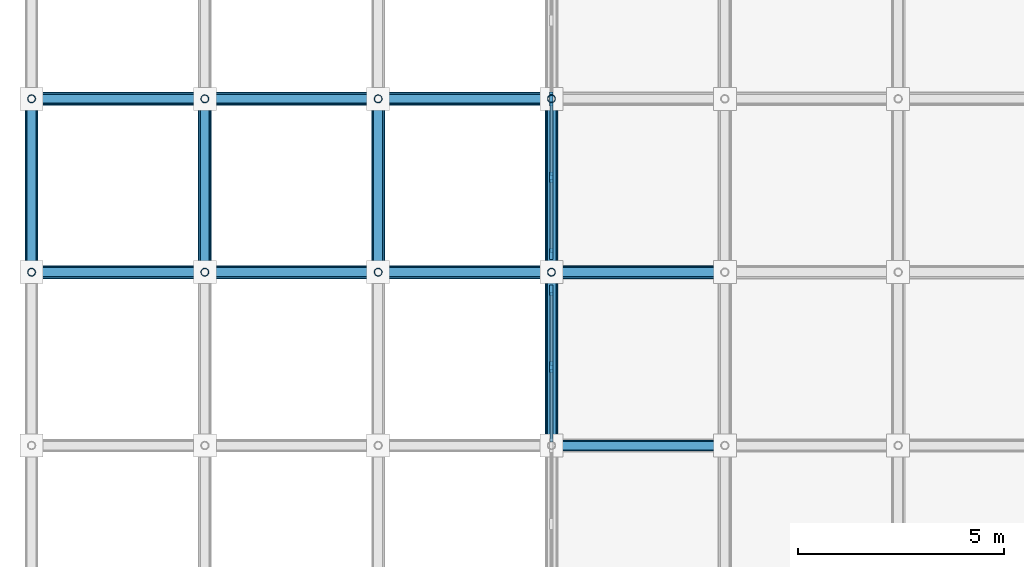
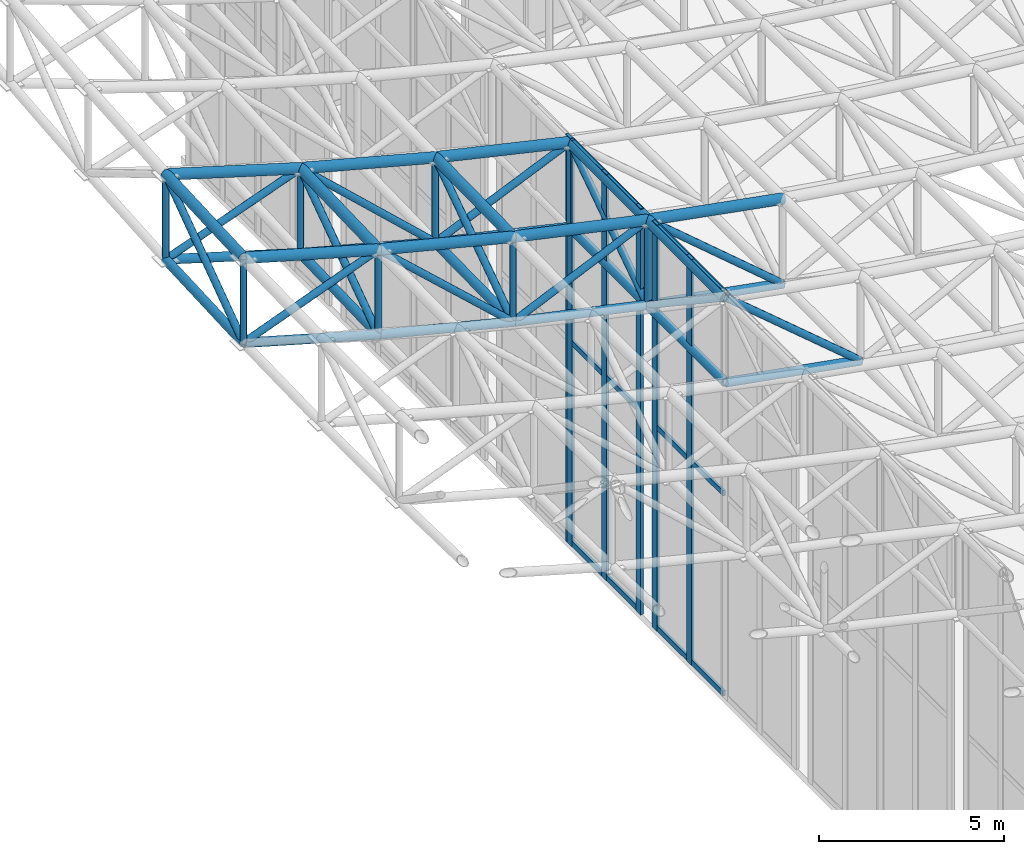
# One storey, part 23 of 93: 64 members, 3 elements without a shape of their own.
"""IFC4 building model written with IfcOpenShell, lengths in metres."""

from ifc_helpers import new_model, si_unit, direction, frame, origin, origin_2d, place, context, subcontext, project, spatial, rectangle, hollow_circle, extrude, material, material_profile, profile_set, type_object, element, aggregate, save


model = new_model("IFC4")

# Units and contexts
model_context = context("Model", 3, precision=1e-05, world=origin(), true_north=direction((0.0, 1.0)))
body_context = subcontext(model_context, "Body", "Model", "MODEL_VIEW")
ifc_project = project(units=[si_unit("LENGTHUNIT", "METRE"), si_unit("AREAUNIT", "SQUARE_METRE"), si_unit("VOLUMEUNIT", "CUBIC_METRE"), si_unit("PLANEANGLEUNIT", "RADIAN"), si_unit("MASSUNIT", "GRAM", prefix="KILO")], contexts=[model_context])

# Site, building, storey
site_placement = place(None, origin())
site = spatial("IfcSite", under=ifc_project, at=site_placement, CompositionType="ELEMENT")
building_placement = place(site_placement, origin())
building = spatial("IfcBuilding", under=site, at=building_placement, Name="Cumbredor Promenade Congress Hotel", CompositionType="ELEMENT")
storey_placement = place(building_placement, frame((0.0, 0.0, 21.840087890625)))
storey = spatial("IfcBuildingStorey", under=building, at=storey_placement, Name="L06", CompositionType="ELEMENT", Elevation=21.840087890625)

# Curtain wall, members
ifc_material_1 = material(Name="Thermally broken anodized aluminium and low-E glass", Category="aluminium")
curtain_wall_type = type_object("IfcCurtainWallType", Name="Stepped Pavilion Clerestory Curtain Wall CW-06", PredefinedType="NOTDEFINED", material=ifc_material_1)
curtain_wall_1_placement = place(storey_placement, origin())
curtain_wall_1 = element("IfcCurtainWall", 1, at=curtain_wall_1_placement, inside=storey, type_object=curtain_wall_type, Name="Plenary Congress Hall W Glazed Clerestory 8", PredefinedType="NOTDEFINED")
ifc_material_2 = material(Name="Thermally broken anodized aluminium", Category="aluminium")
ifc_material_profile_1 = material_profile(ifc_material_2, rectangle(XDim=0.0849609375, YDim=0.260009765625, at=origin_2d()), Name="ALU MULLION CLERESTORY 85x260")
ifc_profile_set_1 = profile_set([ifc_material_profile_1], Name="Thermally broken anodized aluminium")
member_type_1 = type_object("IfcMemberType", Name="Curtain Wall Mullion ML-04", PredefinedType="MULLION", material=ifc_profile_set_1)
member_1_placement = place(storey_placement, frame((8.39990234375, 39.699951171875, -0.01806640625), z_axis=(0.0, 0.0, 1.0), x_axis=(1.0, 0.0, 0.0)))
member_1 = element("IfcMember", 2, at=member_1_placement, type_object=member_type_1, Name="Plenary Congress Hall W Glazed Clerestory 8 Mullion 2", PredefinedType="MULLION", context=body_context, shape_type="SweptSolid", body=[
    extrude(rectangle(XDim=0.0849609375, YDim=0.260009765625, at=origin_2d()), origin(), (0.0, 0.0, 1.0), 13.3857421875),
])
member_2_placement = place(storey_placement, frame((8.39990234375, 41.56005859375, -0.01806640625), z_axis=(0.0, 0.0, 1.0), x_axis=(1.0, 0.0, 0.0)))
member_2 = element("IfcMember", 3, at=member_2_placement, type_object=member_type_1, Name="Plenary Congress Hall W Glazed Clerestory 8 Mullion 3", PredefinedType="MULLION", context=body_context, shape_type="SweptSolid", body=[
    extrude(rectangle(XDim=0.0849609375, YDim=0.260009765625, at=origin_2d()), origin(), (0.0, 0.0, 1.0), 13.3857421875),
])

curtain_wall_2_placement = place(storey_placement, origin())
curtain_wall_2 = element("IfcCurtainWall", 4, at=curtain_wall_2_placement, inside=storey, type_object=curtain_wall_type, Name="Plenary Congress Hall W Glazed Clerestory 9", PredefinedType="NOTDEFINED")
member_3_placement = place(storey_placement, frame((8.39990234375, 42.43994140625, -0.01806640625), z_axis=(0.0, 0.0, 1.0), x_axis=(1.0, 0.0, 0.0)))
member_3 = element("IfcMember", 5, at=member_3_placement, type_object=member_type_1, Name="Plenary Congress Hall W Glazed Clerestory 9 Mullion 1", PredefinedType="MULLION", context=body_context, shape_type="SweptSolid", body=[
    extrude(rectangle(XDim=0.0849609375, YDim=0.260009765625, at=origin_2d()), origin(), (0.0, 0.0, 1.0), 13.3935546875),
])
member_4_placement = place(storey_placement, frame((8.39990234375, 44.300048828125, -0.01806640625), z_axis=(0.0, 0.0, 1.0), x_axis=(1.0, 0.0, 0.0)))
member_4 = element("IfcMember", 6, at=member_4_placement, type_object=member_type_1, Name="Plenary Congress Hall W Glazed Clerestory 9 Mullion 2", PredefinedType="MULLION", context=body_context, shape_type="SweptSolid", body=[
    extrude(rectangle(XDim=0.0849609375, YDim=0.260009765625, at=origin_2d()), origin(), (0.0, 0.0, 1.0), 13.3935546875),
])
member_5_placement = place(storey_placement, frame((8.39990234375, 46.159912109375, -0.01806640625), z_axis=(0.0, 0.0, 1.0), x_axis=(1.0, 0.0, 0.0)))
member_5 = element("IfcMember", 7, at=member_5_placement, type_object=member_type_1, Name="Plenary Congress Hall W Glazed Clerestory 9 Mullion 3", PredefinedType="MULLION", context=body_context, shape_type="SweptSolid", body=[
    extrude(rectangle(XDim=0.0849609375, YDim=0.260009765625, at=origin_2d()), origin(), (0.0, 0.0, 1.0), 13.3935546875),
])

# Curtain wall, member
curtain_wall_3_placement = place(storey_placement, origin())
curtain_wall_3 = element("IfcCurtainWall", 8, at=curtain_wall_3_placement, inside=storey, type_object=curtain_wall_type, Name="Plenary Congress Hall W Glazed Clerestory 10", PredefinedType="NOTDEFINED")
member_6_placement = place(storey_placement, frame((8.39990234375, 46.239990234375, -0.01806640625), z_axis=(0.0, 0.0, 1.0), x_axis=(1.0, 0.0, 0.0)))
member_6 = element("IfcMember", 9, at=member_6_placement, type_object=member_type_1, Name="Plenary Congress Hall W Glazed Clerestory 10 Mullion 1", PredefinedType="MULLION", context=body_context, shape_type="SweptSolid", body=[
    extrude(rectangle(XDim=0.0849609375, YDim=0.260009765625, at=origin_2d()), origin(), (0.0, 0.0, 1.0), 13.40966796875),
])
aggregate(curtain_wall_3, [member_6])

# Member
ifc_material_profile_2 = material_profile(ifc_material_2, rectangle(XDim=0.080078125, YDim=0.179931640625, at=origin_2d()), Name="ALU TRANSOM 80x180")
ifc_profile_set_2 = profile_set([ifc_material_profile_2], Name="Thermally broken anodized aluminium")
member_type_2 = type_object("IfcMemberType", Name="Curtain Wall Transom TR-03", PredefinedType="USERDEFINED", material=ifc_profile_set_2)
member_7_placement = place(storey_placement, frame((8.39990234375, 37.882568359375, 0.079833984375), z_axis=(0.0, 1.0, 0.0), x_axis=(-1.0, 0.0, 0.0)))
member_7 = element("IfcMember", 10, at=member_7_placement, type_object=member_type_2, Name="Plenary Congress Hall W Glazed Clerestory 8 Transom 1.1", ObjectType="TRANSOM", PredefinedType="USERDEFINED", context=body_context, shape_type="SweptSolid", body=[
    extrude(rectangle(XDim=0.080078125, YDim=0.179931640625, at=origin_2d()), origin(), (0.0, 0.0, 1.0), 1.77490234375),
])

member_8_placement = place(storey_placement, frame((8.39990234375, 37.882568359375, 6.679931640625), z_axis=(0.0, 1.0, 0.0), x_axis=(-1.0, 0.0, 0.0)))
member_8 = element("IfcMember", 11, at=member_8_placement, type_object=member_type_2, Name="Plenary Congress Hall W Glazed Clerestory 8 Transom 1.2", ObjectType="TRANSOM", PredefinedType="USERDEFINED", context=body_context, shape_type="SweptSolid", body=[
    extrude(rectangle(XDim=0.080078125, YDim=0.179931640625, at=origin_2d()), origin(), (0.0, 0.0, 1.0), 1.77490234375),
])

member_9_placement = place(storey_placement, frame((8.39990234375, 37.882568359375, 13.27001953125), z_axis=(0.0, 1.0, 0.0), x_axis=(-1.0, 0.0, 0.0)))
member_9 = element("IfcMember", 12, at=member_9_placement, type_object=member_type_2, Name="Plenary Congress Hall W Glazed Clerestory 8 Transom 1.3", ObjectType="TRANSOM", PredefinedType="USERDEFINED", context=body_context, shape_type="SweptSolid", body=[
    extrude(rectangle(XDim=0.080078125, YDim=0.179931640625, at=origin_2d()), origin(), (0.0, 0.0, 1.0), 1.77490234375),
])

member_10_placement = place(storey_placement, frame((8.39990234375, 39.742431640625, 0.079833984375), z_axis=(0.0, 1.0, 0.0), x_axis=(-1.0, 0.0, 0.0)))
member_10 = element("IfcMember", 13, at=member_10_placement, type_object=member_type_2, Name="Plenary Congress Hall W Glazed Clerestory 8 Transom 2.1", ObjectType="TRANSOM", PredefinedType="USERDEFINED", context=body_context, shape_type="SweptSolid", body=[
    extrude(rectangle(XDim=0.080078125, YDim=0.179931640625, at=origin_2d()), origin(), (0.0, 0.0, 1.0), 1.775146484375),
])

member_11_placement = place(storey_placement, frame((8.39990234375, 39.742431640625, 6.679931640625), z_axis=(0.0, 1.0, 0.0), x_axis=(-1.0, 0.0, 0.0)))
member_11 = element("IfcMember", 14, at=member_11_placement, type_object=member_type_2, Name="Plenary Congress Hall W Glazed Clerestory 8 Transom 2.2", ObjectType="TRANSOM", PredefinedType="USERDEFINED", context=body_context, shape_type="SweptSolid", body=[
    extrude(rectangle(XDim=0.080078125, YDim=0.179931640625, at=origin_2d()), origin(), (0.0, 0.0, 1.0), 1.775146484375),
])

member_12_placement = place(storey_placement, frame((8.39990234375, 39.742431640625, 13.27001953125), z_axis=(0.0, 1.0, 0.0), x_axis=(-1.0, 0.0, 0.0)))
member_12 = element("IfcMember", 15, at=member_12_placement, type_object=member_type_2, Name="Plenary Congress Hall W Glazed Clerestory 8 Transom 2.3", ObjectType="TRANSOM", PredefinedType="USERDEFINED", context=body_context, shape_type="SweptSolid", body=[
    extrude(rectangle(XDim=0.080078125, YDim=0.179931640625, at=origin_2d()), origin(), (0.0, 0.0, 1.0), 1.775146484375),
])

aggregate(curtain_wall_1, [member_1, member_2, member_7, member_8, member_9, member_10, member_11, member_12])

member_13_placement = place(storey_placement, frame((8.39990234375, 42.482421875, 0.079833984375), z_axis=(0.0, 1.0, 0.0), x_axis=(-1.0, 0.0, 0.0)))
member_13 = element("IfcMember", 16, at=member_13_placement, type_object=member_type_2, Name="Plenary Congress Hall W Glazed Clerestory 9 Transom 1.1", ObjectType="TRANSOM", PredefinedType="USERDEFINED", context=body_context, shape_type="SweptSolid", body=[
    extrude(rectangle(XDim=0.080078125, YDim=0.179931640625, at=origin_2d()), origin(), (0.0, 0.0, 1.0), 1.775146484375),
])

member_14_placement = place(storey_placement, frame((8.39990234375, 42.482421875, 6.679931640625), z_axis=(0.0, 1.0, 0.0), x_axis=(-1.0, 0.0, 0.0)))
member_14 = element("IfcMember", 17, at=member_14_placement, type_object=member_type_2, Name="Plenary Congress Hall W Glazed Clerestory 9 Transom 1.2", ObjectType="TRANSOM", PredefinedType="USERDEFINED", context=body_context, shape_type="SweptSolid", body=[
    extrude(rectangle(XDim=0.080078125, YDim=0.179931640625, at=origin_2d()), origin(), (0.0, 0.0, 1.0), 1.775146484375),
])

member_15_placement = place(storey_placement, frame((8.39990234375, 42.482421875, 13.280029296875), z_axis=(0.0, 1.0, 0.0), x_axis=(-1.0, 0.0, 0.0)))
member_15 = element("IfcMember", 18, at=member_15_placement, type_object=member_type_2, Name="Plenary Congress Hall W Glazed Clerestory 9 Transom 1.3", ObjectType="TRANSOM", PredefinedType="USERDEFINED", context=body_context, shape_type="SweptSolid", body=[
    extrude(rectangle(XDim=0.080078125, YDim=0.179931640625, at=origin_2d()), origin(), (0.0, 0.0, 1.0), 1.775146484375),
])

member_16_placement = place(storey_placement, frame((8.39990234375, 44.342529296875, 0.079833984375), z_axis=(0.0, 1.0, 0.0), x_axis=(-1.0, 0.0, 0.0)))
member_16 = element("IfcMember", 19, at=member_16_placement, type_object=member_type_2, Name="Plenary Congress Hall W Glazed Clerestory 9 Transom 2.1", ObjectType="TRANSOM", PredefinedType="USERDEFINED", context=body_context, shape_type="SweptSolid", body=[
    extrude(rectangle(XDim=0.080078125, YDim=0.179931640625, at=origin_2d()), origin(), (0.0, 0.0, 1.0), 1.77490234375),
])

member_17_placement = place(storey_placement, frame((8.39990234375, 44.342529296875, 6.679931640625), z_axis=(0.0, 1.0, 0.0), x_axis=(-1.0, 0.0, 0.0)))
member_17 = element("IfcMember", 20, at=member_17_placement, type_object=member_type_2, Name="Plenary Congress Hall W Glazed Clerestory 9 Transom 2.2", ObjectType="TRANSOM", PredefinedType="USERDEFINED", context=body_context, shape_type="SweptSolid", body=[
    extrude(rectangle(XDim=0.080078125, YDim=0.179931640625, at=origin_2d()), origin(), (0.0, 0.0, 1.0), 1.77490234375),
])

member_18_placement = place(storey_placement, frame((8.39990234375, 44.342529296875, 13.280029296875), z_axis=(0.0, 1.0, 0.0), x_axis=(-1.0, 0.0, 0.0)))
member_18 = element("IfcMember", 21, at=member_18_placement, type_object=member_type_2, Name="Plenary Congress Hall W Glazed Clerestory 9 Transom 2.3", ObjectType="TRANSOM", PredefinedType="USERDEFINED", context=body_context, shape_type="SweptSolid", body=[
    extrude(rectangle(XDim=0.080078125, YDim=0.179931640625, at=origin_2d()), origin(), (0.0, 0.0, 1.0), 1.77490234375),
])

aggregate(curtain_wall_2, [member_3, member_4, member_5, member_13, member_14, member_15, member_16, member_17, member_18])

# Members
ifc_material_3 = material(Name="Steel ASTM A500 Grade C", Category="steel")
ifc_material_profile_3 = material_profile(ifc_material_3, hollow_circle(Radius=0.136474609375, WallThickness=0.01611328125, at=origin_2d()), Name="CHS 273.0x16")
ifc_profile_set_3 = profile_set([ifc_material_profile_3], Name="Steel ASTM A500 Grade C")
member_type_3 = type_object("IfcMemberType", Name="Plenary Roof Space Frame Bottom Chord", PredefinedType="CHORD", material=ifc_profile_set_3)
member_19_placement = place(storey_placement, frame((8.39990234375, 37.800048828125, 10.379638671875), z_axis=(0.98449823124, 0.0, -0.175394505856), x_axis=(0.0, 1.0, 0.0)))
element("IfcMember", 22, at=member_19_placement, inside=storey, type_object=member_type_3, Name="Plenary Congress Hall X Bottom Chord 4.10", PredefinedType="CHORD", context=body_context, shape_type="SweptSolid", body=[
    extrude(hollow_circle(Radius=0.136474609375, WallThickness=0.01611328125, at=origin_2d()), origin(), (0.0, 0.0, 1.0), 4.266357421875),
])
member_20_placement = place(storey_placement, frame((-4.199951171875, 42.0, 13.544921875), z_axis=(0.961806149234, 0.0, -0.273731494893), x_axis=(0.0, 1.0, 0.0)))
element("IfcMember", 23, at=member_20_placement, inside=storey, type_object=member_type_3, Name="Plenary Congress Hall X Bottom Chord 1.11", PredefinedType="CHORD", context=body_context, shape_type="SweptSolid", body=[
    extrude(hollow_circle(Radius=0.136474609375, WallThickness=0.01611328125, at=origin_2d()), origin(), (0.0, 0.0, 1.0), 4.36669921875),
])
member_21_placement = place(storey_placement, frame((0.0, 42.0, 12.349609375), z_axis=(0.970086083405, 0.0, -0.242761180553), x_axis=(0.0, 1.0, 0.0)))
element("IfcMember", 24, at=member_21_placement, inside=storey, type_object=member_type_3, Name="Plenary Congress Hall X Bottom Chord 2.11", PredefinedType="CHORD", context=body_context, shape_type="SweptSolid", body=[
    extrude(hollow_circle(Radius=0.136474609375, WallThickness=0.01611328125, at=origin_2d()), origin(), (0.0, 0.0, 1.0), 4.329345703125),
])
member_22_placement = place(storey_placement, frame((4.199951171875, 42.0, 11.298583984375), z_axis=(0.977279815968, 0.0, -0.211953205451), x_axis=(0.0, 1.0, 0.0)))
element("IfcMember", 25, at=member_22_placement, inside=storey, type_object=member_type_3, Name="Plenary Congress Hall X Bottom Chord 3.11", PredefinedType="CHORD", context=body_context, shape_type="SweptSolid", body=[
    extrude(hollow_circle(Radius=0.136474609375, WallThickness=0.01611328125, at=origin_2d()), origin(), (0.0, 0.0, 1.0), 4.297607421875),
])
member_23_placement = place(storey_placement, frame((8.39990234375, 42.0, 10.3876953125), z_axis=(0.983566647418, 0.0, -0.180545423887), x_axis=(0.0, 1.0, 0.0)))
element("IfcMember", 26, at=member_23_placement, inside=storey, type_object=member_type_3, Name="Plenary Congress Hall X Bottom Chord 4.11", PredefinedType="CHORD", context=body_context, shape_type="SweptSolid", body=[
    extrude(hollow_circle(Radius=0.136474609375, WallThickness=0.01611328125, at=origin_2d()), origin(), (0.0, 0.0, 1.0), 4.270263671875),
])
member_24_placement = place(storey_placement, frame((-4.199951171875, 46.199951171875, 13.748291015625), z_axis=(0.957410180843, 0.0, -0.288731268861), x_axis=(0.0, 1.0, 0.0)))
element("IfcMember", 27, at=member_24_placement, inside=storey, type_object=member_type_3, Name="Plenary Congress Hall X Bottom Chord 1.12", PredefinedType="CHORD", context=body_context, shape_type="SweptSolid", body=[
    extrude(hollow_circle(Radius=0.136474609375, WallThickness=0.01611328125, at=origin_2d()), origin(), (0.0, 0.0, 1.0), 4.38671875),
])
member_25_placement = place(storey_placement, frame((0.0, 46.199951171875, 12.481689453125), z_axis=(0.966632009947, 0.0, -0.256169001532), x_axis=(0.0, 1.0, 0.0)))
element("IfcMember", 28, at=member_25_placement, inside=storey, type_object=member_type_3, Name="Plenary Congress Hall X Bottom Chord 2.12", PredefinedType="CHORD", context=body_context, shape_type="SweptSolid", body=[
    extrude(hollow_circle(Radius=0.136474609375, WallThickness=0.01611328125, at=origin_2d()), origin(), (0.0, 0.0, 1.0), 4.344970703125),
])
member_26_placement = place(storey_placement, frame((4.199951171875, 46.199951171875, 11.36865234375), z_axis=(0.974613195846, 0.0, -0.223895329302), x_axis=(0.0, 1.0, 0.0)))
element("IfcMember", 29, at=member_26_placement, inside=storey, type_object=member_type_3, Name="Plenary Congress Hall X Bottom Chord 3.12", PredefinedType="CHORD", context=body_context, shape_type="SweptSolid", body=[
    extrude(hollow_circle(Radius=0.136474609375, WallThickness=0.01611328125, at=origin_2d()), origin(), (0.0, 0.0, 1.0), 4.309326171875),
])
member_27_placement = place(storey_placement, frame((-4.199951171875, 42.0, 13.544921875), z_axis=(0.0, 0.99882972281, 0.048365119985), x_axis=(-1.0, 0.0, 0.0)))
element("IfcMember", 30, at=member_27_placement, inside=storey, type_object=member_type_3, Name="Plenary Congress Hall Y Bottom Chord 1.11", PredefinedType="CHORD", context=body_context, shape_type="SweptSolid", body=[
    extrude(hollow_circle(Radius=0.136474609375, WallThickness=0.01611328125, at=origin_2d()), origin(), (0.0, 0.0, 1.0), 4.204833984375),
])
member_28_placement = place(storey_placement, frame((0.0, 42.0, 12.349609375), z_axis=(0.0, 0.999505878022, 0.031432464106), x_axis=(-1.0, 0.0, 0.0)))
element("IfcMember", 31, at=member_28_placement, inside=storey, type_object=member_type_3, Name="Plenary Congress Hall Y Bottom Chord 2.11", PredefinedType="CHORD", context=body_context, shape_type="SweptSolid", body=[
    extrude(hollow_circle(Radius=0.136474609375, WallThickness=0.01611328125, at=origin_2d()), origin(), (0.0, 0.0, 1.0), 4.2021484375),
])
member_29_placement = place(storey_placement, frame((4.199951171875, 42.0, 11.298583984375), z_axis=(0.0, 0.999860865519, 0.016680815463), x_axis=(-1.0, 0.0, 0.0)))
element("IfcMember", 32, at=member_29_placement, inside=storey, type_object=member_type_3, Name="Plenary Congress Hall Y Bottom Chord 3.11", PredefinedType="CHORD", context=body_context, shape_type="SweptSolid", body=[
    extrude(hollow_circle(Radius=0.136474609375, WallThickness=0.01611328125, at=origin_2d()), origin(), (0.0, 0.0, 1.0), 4.200439453125),
])
for number, where, z_axis, x_axis, name in (
    (33, (8.39990234375, 37.800048828125, 10.379638671875), (0.0, 0.999998160125, 0.00191826654), (-1.0, 0.0, 0.0), "Plenary Congress Hall Y Bottom Chord 4.10"),
    (34, (8.39990234375, 42.0, 10.3876953125), (0.0, 0.999992640561, 0.003836511904), (-1.0, 0.0, 0.0), "Plenary Congress Hall Y Bottom Chord 4.11"),
):
    element("IfcMember", number, at=place(storey_placement, frame(where, z_axis=z_axis, x_axis=x_axis)), inside=storey, type_object=member_type_3, Name=name, PredefinedType="CHORD", context=body_context, shape_type="SweptSolid", body=[
        extrude(hollow_circle(Radius=0.136474609375, WallThickness=0.01611328125, at=origin_2d()), origin(), (0.0, 0.0, 1.0), 4.199951171875),
    ])
ifc_material_profile_4 = material_profile(ifc_material_3, hollow_circle(Radius=0.161865234375, WallThickness=0.01611328125, at=origin_2d()), Name="CHS 323.9x16")
ifc_profile_set_4 = profile_set([ifc_material_profile_4], Name="Steel ASTM A500 Grade C")
member_type_4 = type_object("IfcMemberType", Name="Plenary Roof Space Frame Top Chord", PredefinedType="CHORD", material=ifc_profile_set_4)
member_30_placement = place(storey_placement, frame((-4.199951171875, 42.0, 16.344970703125), z_axis=(0.961806149234, 0.0, -0.273731494893), x_axis=(0.0, 1.0, 0.0)))
element("IfcMember", 35, at=member_30_placement, inside=storey, type_object=member_type_4, Name="Plenary Congress Hall X Top Chord 1.11", PredefinedType="CHORD", context=body_context, shape_type="SweptSolid", body=[
    extrude(hollow_circle(Radius=0.161865234375, WallThickness=0.01611328125, at=origin_2d()), origin(), (0.0, 0.0, 1.0), 4.36669921875),
])
member_31_placement = place(storey_placement, frame((0.0, 42.0, 15.149658203125), z_axis=(0.970086083405, 0.0, -0.242761180553), x_axis=(0.0, 1.0, 0.0)))
element("IfcMember", 36, at=member_31_placement, inside=storey, type_object=member_type_4, Name="Plenary Congress Hall X Top Chord 2.11", PredefinedType="CHORD", context=body_context, shape_type="SweptSolid", body=[
    extrude(hollow_circle(Radius=0.161865234375, WallThickness=0.01611328125, at=origin_2d()), origin(), (0.0, 0.0, 1.0), 4.329345703125),
])
member_32_placement = place(storey_placement, frame((4.199951171875, 42.0, 14.0986328125), z_axis=(0.97726804739, 0.0, -0.212007461074), x_axis=(0.0, 1.0, 0.0)))
element("IfcMember", 37, at=member_32_placement, inside=storey, type_object=member_type_4, Name="Plenary Congress Hall X Top Chord 3.11", PredefinedType="CHORD", context=body_context, shape_type="SweptSolid", body=[
    extrude(hollow_circle(Radius=0.161865234375, WallThickness=0.01611328125, at=origin_2d()), origin(), (0.0, 0.0, 1.0), 4.297607421875),
])
member_33_placement = place(storey_placement, frame((8.39990234375, 42.0, 13.1875), z_axis=(0.983566647418, 0.0, -0.180545423887), x_axis=(0.0, 1.0, 0.0)))
element("IfcMember", 38, at=member_33_placement, inside=storey, type_object=member_type_4, Name="Plenary Congress Hall X Top Chord 4.11", PredefinedType="CHORD", context=body_context, shape_type="SweptSolid", body=[
    extrude(hollow_circle(Radius=0.161865234375, WallThickness=0.01611328125, at=origin_2d()), origin(), (0.0, 0.0, 1.0), 4.270263671875),
])
member_34_placement = place(storey_placement, frame((-4.199951171875, 46.199951171875, 16.54833984375), z_axis=(0.957394795149, 0.0, -0.288782281697), x_axis=(0.0, 1.0, 0.0)))
element("IfcMember", 39, at=member_34_placement, inside=storey, type_object=member_type_4, Name="Plenary Congress Hall X Top Chord 1.12", PredefinedType="CHORD", context=body_context, shape_type="SweptSolid", body=[
    extrude(hollow_circle(Radius=0.161865234375, WallThickness=0.01611328125, at=origin_2d()), origin(), (0.0, 0.0, 1.0), 4.386962890625),
])
member_35_placement = place(storey_placement, frame((0.0, 46.199951171875, 15.281494140625), z_axis=(0.966645922489, 0.0, -0.256116497977), x_axis=(0.0, 1.0, 0.0)))
element("IfcMember", 40, at=member_35_placement, inside=storey, type_object=member_type_4, Name="Plenary Congress Hall X Top Chord 2.12", PredefinedType="CHORD", context=body_context, shape_type="SweptSolid", body=[
    extrude(hollow_circle(Radius=0.161865234375, WallThickness=0.01611328125, at=origin_2d()), origin(), (0.0, 0.0, 1.0), 4.344970703125),
])
member_36_placement = place(storey_placement, frame((4.199951171875, 46.199951171875, 14.168701171875), z_axis=(0.974600832042, 0.0, -0.223949141956), x_axis=(0.0, 1.0, 0.0)))
element("IfcMember", 41, at=member_36_placement, inside=storey, type_object=member_type_4, Name="Plenary Congress Hall X Top Chord 3.12", PredefinedType="CHORD", context=body_context, shape_type="SweptSolid", body=[
    extrude(hollow_circle(Radius=0.161865234375, WallThickness=0.01611328125, at=origin_2d()), origin(), (0.0, 0.0, 1.0), 4.309326171875),
])
member_37_placement = place(storey_placement, frame((-4.199951171875, 42.0, 16.344970703125), z_axis=(0.0, 0.99882972281, 0.048365119985), x_axis=(-1.0, 0.0, 0.0)))
element("IfcMember", 42, at=member_37_placement, inside=storey, type_object=member_type_4, Name="Plenary Congress Hall Y Top Chord 1.11", PredefinedType="CHORD", context=body_context, shape_type="SweptSolid", body=[
    extrude(hollow_circle(Radius=0.161865234375, WallThickness=0.01611328125, at=origin_2d()), origin(), (0.0, 0.0, 1.0), 4.204833984375),
])
member_38_placement = place(storey_placement, frame((0.0, 42.0, 15.149658203125), z_axis=(0.0, 0.999507701685, 0.031374420677), x_axis=(-1.0, 0.0, 0.0)))
element("IfcMember", 43, at=member_38_placement, inside=storey, type_object=member_type_4, Name="Plenary Congress Hall Y Top Chord 2.11", PredefinedType="CHORD", context=body_context, shape_type="SweptSolid", body=[
    extrude(hollow_circle(Radius=0.161865234375, WallThickness=0.01611328125, at=origin_2d()), origin(), (0.0, 0.0, 1.0), 4.201904296875),
])
member_39_placement = place(storey_placement, frame((4.199951171875, 42.0, 14.0986328125), z_axis=(0.0, 0.999860865519, 0.016680815463), x_axis=(-1.0, 0.0, 0.0)))
element("IfcMember", 44, at=member_39_placement, inside=storey, type_object=member_type_4, Name="Plenary Congress Hall Y Top Chord 3.11", PredefinedType="CHORD", context=body_context, shape_type="SweptSolid", body=[
    extrude(hollow_circle(Radius=0.161865234375, WallThickness=0.01611328125, at=origin_2d()), origin(), (0.0, 0.0, 1.0), 4.200439453125),
])
for number, where, z_axis, x_axis, name in (
    (45, (8.39990234375, 37.800048828125, 13.1796875), (0.0, 0.999998269943, 0.001860137455), (-1.0, 0.0, 0.0), "Plenary Congress Hall Y Top Chord 4.10"),
    (46, (8.39990234375, 42.0, 13.1875), (0.0, 0.999992640561, 0.003836511904), (-1.0, 0.0, 0.0), "Plenary Congress Hall Y Top Chord 4.11"),
):
    element("IfcMember", number, at=place(storey_placement, frame(where, z_axis=z_axis, x_axis=x_axis)), inside=storey, type_object=member_type_4, Name=name, PredefinedType="CHORD", context=body_context, shape_type="SweptSolid", body=[
        extrude(hollow_circle(Radius=0.161865234375, WallThickness=0.01611328125, at=origin_2d()), origin(), (0.0, 0.0, 1.0), 4.199951171875),
    ])
ifc_material_profile_5 = material_profile(ifc_material_3, hollow_circle(Radius=0.109619140625, WallThickness=0.012451171875, at=origin_2d()), Name="CHS 219.1x12.5")
ifc_profile_set_5 = profile_set([ifc_material_profile_5], Name="Steel ASTM A500 Grade C")
member_type_5 = type_object("IfcMemberType", Name="Space Frame Web Diagonal D1", PredefinedType="BRACE", material=ifc_profile_set_5)
member_40_placement = place(storey_placement, frame((8.39990234375, 37.800048828125, 13.1796875), z_axis=(0.763894683048, 0.0, -0.64534092789), x_axis=(0.0, 1.0, 0.0)))
element("IfcMember", 47, at=member_40_placement, inside=storey, type_object=member_type_5, Name="Plenary Congress Hall X Web Diagonal 4.10", PredefinedType="BRACE", context=body_context, shape_type="SweptSolid", body=[
    extrude(hollow_circle(Radius=0.109619140625, WallThickness=0.012451171875, at=origin_2d()), origin(), (0.0, 0.0, 1.0), 5.498291015625),
])
member_41_placement = place(storey_placement, frame((-4.199951171875, 42.0, 13.544921875), z_axis=(0.934135452848, 0.0, 0.356918696249), x_axis=(0.0, 1.0, 0.0)))
element("IfcMember", 48, at=member_41_placement, inside=storey, type_object=member_type_5, Name="Plenary Congress Hall X Web Diagonal 1.11", PredefinedType="BRACE", context=body_context, shape_type="SweptSolid", body=[
    extrude(hollow_circle(Radius=0.109619140625, WallThickness=0.012451171875, at=origin_2d()), origin(), (0.0, 0.0, 1.0), 4.49609375),
])
member_42_placement = place(storey_placement, frame((0.0, 42.0, 15.149658203125), z_axis=(0.737056317359, 0.0, -0.675831328839), x_axis=(0.0, 1.0, 0.0)))
element("IfcMember", 49, at=member_42_placement, inside=storey, type_object=member_type_5, Name="Plenary Congress Hall X Web Diagonal 2.11", PredefinedType="BRACE", context=body_context, shape_type="SweptSolid", body=[
    extrude(hollow_circle(Radius=0.109619140625, WallThickness=0.012451171875, at=origin_2d()), origin(), (0.0, 0.0, 1.0), 5.6982421875),
])
member_43_placement = place(storey_placement, frame((4.199951171875, 42.0, 11.298583984375), z_axis=(0.912007785058, 0.0, 0.410172890368), x_axis=(0.0, 1.0, 0.0)))
element("IfcMember", 50, at=member_43_placement, inside=storey, type_object=member_type_5, Name="Plenary Congress Hall X Web Diagonal 3.11", PredefinedType="BRACE", context=body_context, shape_type="SweptSolid", body=[
    extrude(hollow_circle(Radius=0.109619140625, WallThickness=0.012451171875, at=origin_2d()), origin(), (0.0, 0.0, 1.0), 4.605224609375),
])
member_44_placement = place(storey_placement, frame((8.39990234375, 42.0, 13.1875), z_axis=(0.761882496086, 0.0, -0.647715263181), x_axis=(0.0, 1.0, 0.0)))
element("IfcMember", 51, at=member_44_placement, inside=storey, type_object=member_type_5, Name="Plenary Congress Hall X Web Diagonal 4.11", PredefinedType="BRACE", context=body_context, shape_type="SweptSolid", body=[
    extrude(hollow_circle(Radius=0.109619140625, WallThickness=0.012451171875, at=origin_2d()), origin(), (0.0, 0.0, 1.0), 5.512939453125),
])
member_45_placement = place(storey_placement, frame((-4.199951171875, 46.199951171875, 13.748291015625), z_axis=(0.939365416794, 0.0, 0.342917794423), x_axis=(0.0, 1.0, 0.0)))
element("IfcMember", 52, at=member_45_placement, inside=storey, type_object=member_type_5, Name="Plenary Congress Hall X Web Diagonal 1.12", PredefinedType="BRACE", context=body_context, shape_type="SweptSolid", body=[
    extrude(hollow_circle(Radius=0.109619140625, WallThickness=0.012451171875, at=origin_2d()), origin(), (0.0, 0.0, 1.0), 4.470947265625),
])
member_46_placement = place(storey_placement, frame((0.0, 46.199951171875, 15.281494140625), z_axis=(0.731673041976, 0.0, -0.681655748634), x_axis=(0.0, 1.0, 0.0)))
element("IfcMember", 53, at=member_46_placement, inside=storey, type_object=member_type_5, Name="Plenary Congress Hall X Web Diagonal 2.12", PredefinedType="BRACE", context=body_context, shape_type="SweptSolid", body=[
    extrude(hollow_circle(Radius=0.109619140625, WallThickness=0.012451171875, at=origin_2d()), origin(), (0.0, 0.0, 1.0), 5.740234375),
])
member_47_placement = place(storey_placement, frame((4.199951171875, 46.199951171875, 11.36865234375), z_axis=(0.916358936382, 0.0, 0.400357714692), x_axis=(0.0, 1.0, 0.0)))
element("IfcMember", 54, at=member_47_placement, inside=storey, type_object=member_type_5, Name="Plenary Congress Hall X Web Diagonal 3.12", PredefinedType="BRACE", context=body_context, shape_type="SweptSolid", body=[
    extrude(hollow_circle(Radius=0.109619140625, WallThickness=0.012451171875, at=origin_2d()), origin(), (0.0, 0.0, 1.0), 4.583251953125),
])
member_48_placement = place(storey_placement, frame((-4.199951171875, 42.0, 13.544921875), z_axis=(0.0, 0.813417062835, 0.581680910713), x_axis=(-1.0, 0.0, 0.0)))
element("IfcMember", 55, at=member_48_placement, inside=storey, type_object=member_type_5, Name="Plenary Congress Hall Y Web Diagonal 1.11", PredefinedType="BRACE", context=body_context, shape_type="SweptSolid", body=[
    extrude(hollow_circle(Radius=0.109619140625, WallThickness=0.012451171875, at=origin_2d()), origin(), (0.0, 0.0, 1.0), 5.163330078125),
])
member_49_placement = place(storey_placement, frame((0.0, 42.0, 12.349609375), z_axis=(0.0, 0.819972435242, 0.572403009639), x_axis=(-1.0, 0.0, 0.0)))
element("IfcMember", 56, at=member_49_placement, inside=storey, type_object=member_type_5, Name="Plenary Congress Hall Y Web Diagonal 2.11", PredefinedType="BRACE", context=body_context, shape_type="SweptSolid", body=[
    extrude(hollow_circle(Radius=0.109619140625, WallThickness=0.012451171875, at=origin_2d()), origin(), (0.0, 0.0, 1.0), 5.1220703125),
])
member_50_placement = place(storey_placement, frame((4.199951171875, 42.0, 11.298583984375), z_axis=(0.0, 0.825630854846, 0.564210680089), x_axis=(-1.0, 0.0, 0.0)))
element("IfcMember", 57, at=member_50_placement, inside=storey, type_object=member_type_5, Name="Plenary Congress Hall Y Web Diagonal 3.11", PredefinedType="BRACE", context=body_context, shape_type="SweptSolid", body=[
    extrude(hollow_circle(Radius=0.109619140625, WallThickness=0.012451171875, at=origin_2d()), origin(), (0.0, 0.0, 1.0), 5.0869140625),
])
member_51_placement = place(storey_placement, frame((8.39990234375, 37.800048828125, 13.1796875), z_axis=(0.0, 0.832779432341, -0.55360492869), x_axis=(-1.0, 0.0, 0.0)))
element("IfcMember", 58, at=member_51_placement, inside=storey, type_object=member_type_5, Name="Plenary Congress Hall Y Web Diagonal 4.10", PredefinedType="BRACE", context=body_context, shape_type="SweptSolid", body=[
    extrude(hollow_circle(Radius=0.109619140625, WallThickness=0.012451171875, at=origin_2d()), origin(), (0.0, 0.0, 1.0), 5.043212890625),
])
member_52_placement = place(storey_placement, frame((8.39990234375, 42.0, 10.3876953125), z_axis=(0.0, 0.830591546956, 0.556882107923), x_axis=(-1.0, 0.0, 0.0)))
element("IfcMember", 59, at=member_52_placement, inside=storey, type_object=member_type_5, Name="Plenary Congress Hall Y Web Diagonal 4.11", PredefinedType="BRACE", context=body_context, shape_type="SweptSolid", body=[
    extrude(hollow_circle(Radius=0.109619140625, WallThickness=0.012451171875, at=origin_2d()), origin(), (0.0, 0.0, 1.0), 5.056640625),
])
ifc_material_profile_6 = material_profile(ifc_material_3, hollow_circle(Radius=0.096923828125, WallThickness=0.010009765625, at=origin_2d()), Name="CHS 193.7x10")
ifc_profile_set_6 = profile_set([ifc_material_profile_6], Name="Steel ASTM A500 Grade C")
member_type_6 = type_object("IfcMemberType", Name="Space Frame Web Post P1", PredefinedType="BRACE", material=ifc_profile_set_6)
for number, where, z_axis, x_axis, name in (
    (60, (-4.199951171875, 42.0, 13.544921875), (0.0, 0.0, 1.0), (1.0, 0.0, 0.0), "Plenary Congress Hall Space Frame Web Post 1.11"),
    (61, (-4.199951171875, 46.199951171875, 13.748291015625), (0.0, 0.0, 1.0), (1.0, 0.0, 0.0), "Plenary Congress Hall Space Frame Web Post 1.12"),
    (62, (0.0, 42.0, 12.349609375), (0.0, 0.0, 1.0), (1.0, 0.0, 0.0), "Plenary Congress Hall Space Frame Web Post 2.11"),
):
    element("IfcMember", number, at=place(storey_placement, frame(where, z_axis=z_axis, x_axis=x_axis)), inside=storey, type_object=member_type_6, Name=name, PredefinedType="BRACE", context=body_context, shape_type="SweptSolid", body=[
        extrude(hollow_circle(Radius=0.096923828125, WallThickness=0.010009765625, at=origin_2d()), origin(), (0.0, 0.0, 1.0), 2.800048828125),
    ])
member_53_placement = place(storey_placement, frame((0.0, 46.199951171875, 12.481689453125), z_axis=(0.0, 0.0, 1.0), x_axis=(1.0, 0.0, 0.0)))
element("IfcMember", 63, at=member_53_placement, inside=storey, type_object=member_type_6, Name="Plenary Congress Hall Space Frame Web Post 2.12", PredefinedType="BRACE", context=body_context, shape_type="SweptSolid", body=[
    extrude(hollow_circle(Radius=0.096923828125, WallThickness=0.010009765625, at=origin_2d()), origin(), (0.0, 0.0, 1.0), 2.7998046875),
])
for number, where, z_axis, x_axis, name in (
    (64, (4.199951171875, 42.0, 11.298583984375), (0.0, 0.0, 1.0), (1.0, 0.0, 0.0), "Plenary Congress Hall Space Frame Web Post 3.11"),
    (65, (4.199951171875, 46.199951171875, 11.36865234375), (0.0, 0.0, 1.0), (1.0, 0.0, 0.0), "Plenary Congress Hall Space Frame Web Post 3.12"),
):
    element("IfcMember", number, at=place(storey_placement, frame(where, z_axis=z_axis, x_axis=x_axis)), inside=storey, type_object=member_type_6, Name=name, PredefinedType="BRACE", context=body_context, shape_type="SweptSolid", body=[
        extrude(hollow_circle(Radius=0.096923828125, WallThickness=0.010009765625, at=origin_2d()), origin(), (0.0, 0.0, 1.0), 2.800048828125),
    ])
for number, where, z_axis, x_axis, name in (
    (66, (8.39990234375, 42.0, 10.3876953125), (0.0, 0.0, 1.0), (1.0, 0.0, 0.0), "Plenary Congress Hall Space Frame Web Post 4.11"),
    (67, (8.39990234375, 46.199951171875, 10.40380859375), (0.0, 0.0, 1.0), (1.0, 0.0, 0.0), "Plenary Congress Hall Space Frame Web Post 4.12"),
):
    element("IfcMember", number, at=place(storey_placement, frame(where, z_axis=z_axis, x_axis=x_axis)), inside=storey, type_object=member_type_6, Name=name, PredefinedType="BRACE", context=body_context, shape_type="SweptSolid", body=[
        extrude(hollow_circle(Radius=0.096923828125, WallThickness=0.010009765625, at=origin_2d()), origin(), (0.0, 0.0, 1.0), 2.7998046875),
    ])

save(model, "model.ifc")
